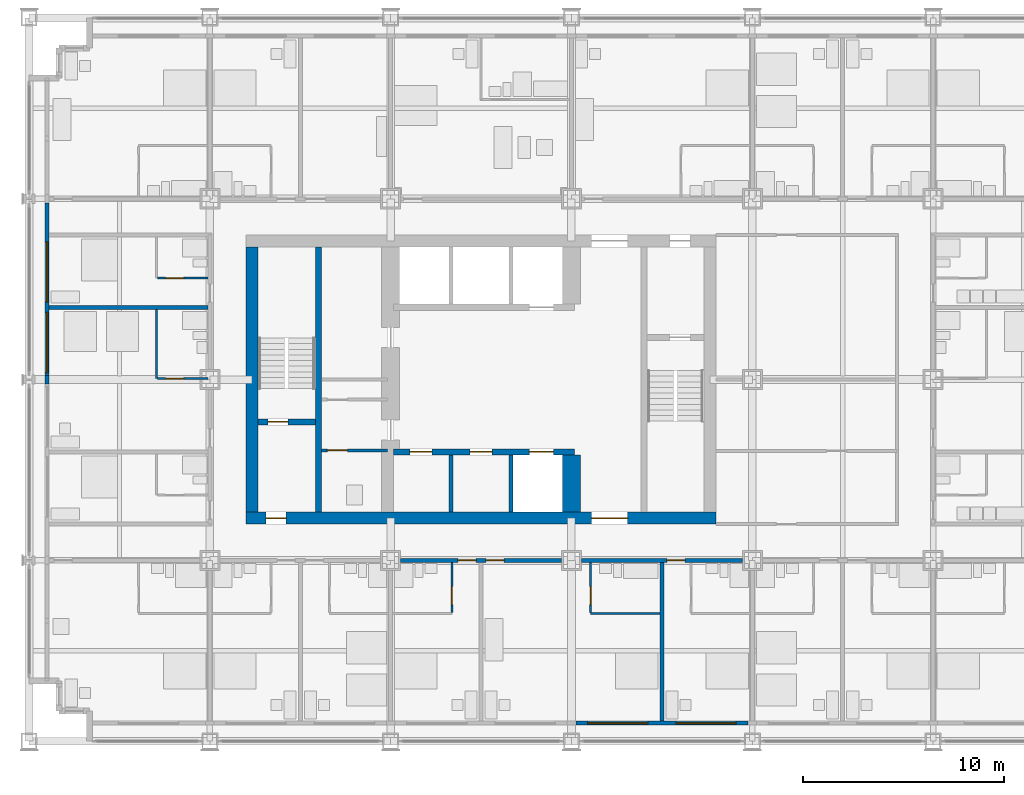
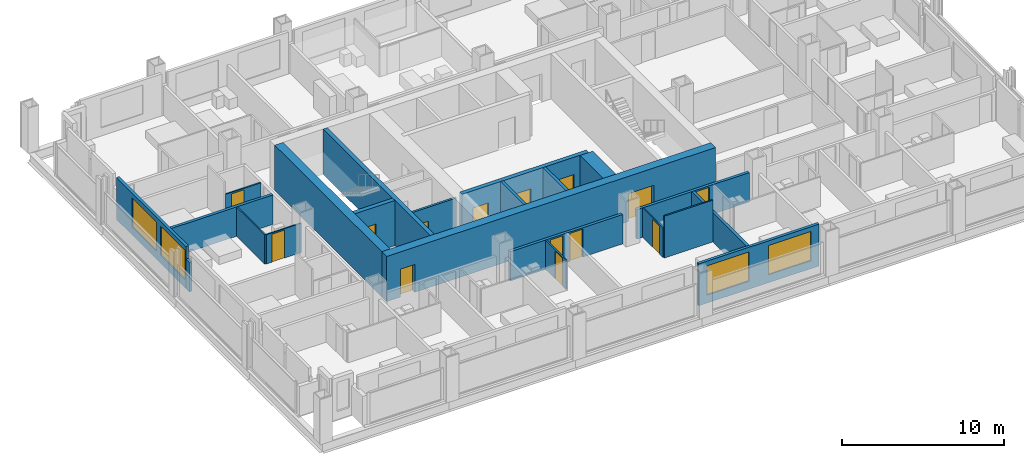
# One storey, part 11 of 19: 22 walls, 14 doors, 4 windows, 18 openings.
"""IFC4 building model written with IfcOpenShell, lengths in metres."""

from ifc_helpers import new_model, si_unit, direction, frame, frame_2d, origin, place, context, subcontext, project, spatial, rectangle, extrude, material, layer, layer_set, type_object, element, fill, save


model = new_model("IFC4")

# Units and contexts
model_context = context("Model", 3, precision=1e-05, world=origin(), true_north=direction((0.0, 1.0)))
body_context = subcontext(model_context, "Body", "Model", "MODEL_VIEW")
ifc_project = project(units=[si_unit("LENGTHUNIT", "METRE"), si_unit("AREAUNIT", "SQUARE_METRE"), si_unit("VOLUMEUNIT", "CUBIC_METRE"), si_unit("PLANEANGLEUNIT", "RADIAN"), si_unit("MASSUNIT", "GRAM", prefix="KILO")], contexts=[model_context])

# Site, building, storey
site_placement = place(None, origin())
site = spatial("IfcSite", under=ifc_project, at=site_placement, CompositionType="ELEMENT")
building_placement = place(site_placement, origin())
building = spatial("IfcBuilding", under=site, at=building_placement, Name="Loomwork Tower", CompositionType="ELEMENT")
storey_placement = place(building_placement, frame((0.0, 0.0, 85.800048828125)))
storey = spatial("IfcBuildingStorey", under=building, at=storey_placement, Name="L22", CompositionType="ELEMENT", Elevation=85.800048828125)

# Wall
ifc_material_1 = material(Name="Concrete 14000 psi (97 MPa)", Category="concrete")
ifc_layer_1 = layer(ifc_material_1, 0.300048828125)
ifc_layer_set_1 = layer_set([ifc_layer_1], Name="Core shear wall 300")
wall_type_1 = type_object("IfcWallType", Name="Core shear wall 300", PredefinedType="SHEAR", material=ifc_layer_set_1)
wall_1_placement = place(storey_placement, frame((14.39990234375, 11.39990234375, 0.0), z_axis=(0.0, 0.0, 1.0), x_axis=(0.0, 1.0, 0.0)))
element("IfcWall", 1, at=wall_1_placement, inside=storey, type_object=wall_type_1, Name="Stair A east wall L22", PredefinedType="SHEAR", context=body_context, shape_type="SweptSolid", body=[
    extrude(rectangle(XDim=13.2001953125, YDim=0.300048828125, at=frame_2d((6.60009765625, 0.0))), origin(), (0.0, 0.0, 1.0), 3.39990234375),
])

# Wall, opening, door
wall_2_placement = place(storey_placement, frame((11.39990234375, 15.89990234375, 0.0), z_axis=(0.0, 0.0, 1.0), x_axis=(1.0, 0.0, 0.0)))
wall_2 = element("IfcWall", 2, at=wall_2_placement, inside=storey, type_object=wall_type_1, Name="Stair A south wall L22", PredefinedType="SHEAR", context=body_context, shape_type="SweptSolid", body=[
    extrude(rectangle(XDim=2.85009765625, YDim=0.300048828125, at=frame_2d((1.425048828125, 0.0))), origin(), (0.0, 0.0, 1.0), 3.39990234375),
])
opening_1_placement = place(wall_2_placement, frame((0.5, 0.0, 0.0)))
opening_1 = element("IfcOpeningElement", 3, at=opening_1_placement, cuts=wall_2, Name="Opening D4", PredefinedType="OPENING", context=body_context, shape_type="SweptSolid", body=[
    extrude(rectangle(XDim=1.0, YDim=2.10009765625, at=frame_2d((0.5, 1.050048828125))), frame((0.0, 0.159912109375, 0.0), z_axis=(0.0, -1.0, 0.0), x_axis=(1.0, 0.0, 0.0)), (0.0, 0.0, 1.0), 0.320068359375),
])
ifc_material_2 = material(Name="Hollow metal door and frame")
door_type_1 = type_object("IfcDoorType", Name="Stair door 1000", OperationType="SINGLE_SWING_RIGHT", PredefinedType="DOOR", material=ifc_material_2)
door_1_placement = place(opening_1_placement, origin())
door_1 = element("IfcDoor", 4, at=door_1_placement, inside=storey, type_object=door_type_1, Name="Stair A door", OperationType="SINGLE_SWING_LEFT", OverallHeight=2.10009765625, OverallWidth=1.0, PredefinedType="DOOR", context=body_context, shape_type="SweptSolid", body=[
    extrude(rectangle(XDim=1.0, YDim=2.10009765625, at=frame_2d((0.5, 1.050048828125))), frame((0.0, 0.02490234375, 0.0), z_axis=(0.0, -1.0, 0.0), x_axis=(1.0, 0.0, 0.0)), (0.0, 0.0, 1.0), 0.050048828125),
])
fill(opening_1, door_1)

# Wall, openings, doors
wall_3_placement = place(storey_placement, frame((18.14990234375, 14.39990234375, 0.0), z_axis=(0.0, 0.0, 1.0), x_axis=(1.0, 0.0, 0.0)))
wall_3 = element("IfcWall", 5, at=wall_3_placement, inside=storey, type_object=wall_type_1, Name="Lift front wall south L22", PredefinedType="SHEAR", context=body_context, shape_type="SweptSolid", body=[
    extrude(rectangle(XDim=9.0, YDim=0.300048828125, at=frame_2d((4.5, 0.0))), origin(), (0.0, 0.0, 1.0), 3.39990234375),
])
opening_2_placement = place(wall_3_placement, frame((0.800048828125, 0.0, 0.0)))
opening_2 = element("IfcOpeningElement", 6, at=opening_2_placement, cuts=wall_3, Name="Opening LD1", PredefinedType="OPENING", context=body_context, shape_type="SweptSolid", body=[
    extrude(rectangle(XDim=1.10009765625, YDim=2.10009765625, at=frame_2d((0.550048828125, 1.050048828125))), frame((0.0, 0.159912109375, 0.0), z_axis=(0.0, -1.0, 0.0), x_axis=(1.0, 0.0, 0.0)), (0.0, 0.0, 1.0), 0.320068359375),
])
opening_3_placement = place(wall_3_placement, frame((3.800048828125, 0.0, 0.0)))
opening_3 = element("IfcOpeningElement", 7, at=opening_3_placement, cuts=wall_3, Name="Opening LD1", PredefinedType="OPENING", context=body_context, shape_type="SweptSolid", body=[
    extrude(rectangle(XDim=1.10009765625, YDim=2.10009765625, at=frame_2d((0.550048828125, 1.050048828125))), frame((0.0, 0.159912109375, 0.0), z_axis=(0.0, -1.0, 0.0), x_axis=(1.0, 0.0, 0.0)), (0.0, 0.0, 1.0), 0.320068359375),
])
opening_4_placement = place(wall_3_placement, frame((6.75, 0.0, 0.0)))
opening_4 = element("IfcOpeningElement", 8, at=opening_4_placement, cuts=wall_3, Name="Opening LD2", PredefinedType="OPENING", context=body_context, shape_type="SweptSolid", body=[
    extrude(rectangle(XDim=1.199951171875, YDim=2.10009765625, at=frame_2d((0.60009765625, 1.050048828125))), frame((0.0, 0.159912109375, 0.0), z_axis=(0.0, -1.0, 0.0), x_axis=(1.0, 0.0, 0.0)), (0.0, 0.0, 1.0), 0.320068359375),
])
ifc_material_3 = material(Name="Hollow metal door and frame")
door_type_2 = type_object("IfcDoorType", Name="Lift landing door 1100", OperationType="SLIDING_TO_LEFT", PredefinedType="DOOR", material=ifc_material_3)
door_2_placement = place(opening_2_placement, origin())
door_2 = element("IfcDoor", 9, at=door_2_placement, inside=storey, type_object=door_type_2, Name="Lift landing door LA1", OperationType="SLIDING_TO_LEFT", OverallHeight=2.10009765625, OverallWidth=1.10009765625, PredefinedType="DOOR", context=body_context, shape_type="SweptSolid", body=[
    extrude(rectangle(XDim=1.10009765625, YDim=2.10009765625, at=frame_2d((0.550048828125, 1.050048828125))), frame((0.0, 0.02490234375, 0.0), z_axis=(0.0, -1.0, 0.0), x_axis=(1.0, 0.0, 0.0)), (0.0, 0.0, 1.0), 0.050048828125),
])
fill(opening_2, door_2)
door_3_placement = place(opening_3_placement, origin())
door_3 = element("IfcDoor", 10, at=door_3_placement, inside=storey, type_object=door_type_2, Name="Lift landing door LA2", OperationType="SLIDING_TO_LEFT", OverallHeight=2.10009765625, OverallWidth=1.10009765625, PredefinedType="DOOR", context=body_context, shape_type="SweptSolid", body=[
    extrude(rectangle(XDim=1.10009765625, YDim=2.10009765625, at=frame_2d((0.550048828125, 1.050048828125))), frame((0.0, 0.02490234375, 0.0), z_axis=(0.0, -1.0, 0.0), x_axis=(1.0, 0.0, 0.0)), (0.0, 0.0, 1.0), 0.050048828125),
])
fill(opening_3, door_3)
ifc_material_4 = material(Name="Hollow metal door and frame")
door_type_3 = type_object("IfcDoorType", Name="Lift landing door 1200", OperationType="SLIDING_TO_LEFT", PredefinedType="DOOR", material=ifc_material_4)
door_4_placement = place(opening_4_placement, origin())
door_4 = element("IfcDoor", 11, at=door_4_placement, inside=storey, type_object=door_type_3, Name="Lift landing door LF1", OperationType="SLIDING_TO_LEFT", OverallHeight=2.10009765625, OverallWidth=1.199951171875, PredefinedType="DOOR", context=body_context, shape_type="SweptSolid", body=[
    extrude(rectangle(XDim=1.199951171875, YDim=2.10009765625, at=frame_2d((0.60009765625, 1.050048828125))), frame((0.0, 0.02490234375, 0.0), z_axis=(0.0, -1.0, 0.0), x_axis=(1.0, 0.0, 0.0)), (0.0, 0.0, 1.0), 0.050048828125),
])
fill(opening_4, door_4)

ifc_material_5 = material(Name="Concrete 14000 psi (97 MPa)", Category="concrete")
ifc_layer_2 = layer(ifc_material_5, 0.60009765625)
ifc_layer_set_2 = layer_set([ifc_layer_2], Name="Core shear wall 600")
wall_type_2 = type_object("IfcWallType", Name="Core shear wall 600", PredefinedType="SHEAR", material=ifc_layer_set_2)
wall_4_placement = place(storey_placement, frame((10.800048828125, 11.10009765625, 0.0), z_axis=(0.0, 0.0, 1.0), x_axis=(1.0, 0.0, 0.0)))
wall_4 = element("IfcWall", 12, at=wall_4_placement, inside=storey, type_object=wall_type_2, Name="Core wall south L22", PredefinedType="SHEAR", context=body_context, shape_type="SweptSolid", body=[
    extrude(rectangle(XDim=23.39990234375, YDim=0.60009765625, at=frame_2d((11.699951171875, 0.0))), origin(), (0.0, 0.0, 1.0), 3.39990234375),
])
opening_5_placement = place(wall_4_placement, frame((1.0, 0.0, 0.0)))
opening_5 = element("IfcOpeningElement", 13, at=opening_5_placement, cuts=wall_4, Name="Opening D4", PredefinedType="OPENING", context=body_context, shape_type="SweptSolid", body=[
    extrude(rectangle(XDim=1.0, YDim=2.10009765625, at=frame_2d((0.5, 1.050048828125))), frame((0.0, 0.31005859375, 0.0), z_axis=(0.0, -1.0, 0.0), x_axis=(1.0, 0.0, 0.0)), (0.0, 0.0, 1.0), 0.6201171875),
])
opening_6_placement = place(wall_4_placement, frame((17.199951171875, 0.0, 0.0)))
opening_6 = element("IfcOpeningElement", 14, at=opening_6_placement, cuts=wall_4, Name="Opening D6", PredefinedType="OPENING", context=body_context, shape_type="SweptSolid", body=[
    extrude(rectangle(XDim=1.800048828125, YDim=2.10009765625, at=frame_2d((0.89990234375, 1.050048828125))), frame((0.0, 0.31005859375, 0.0), z_axis=(0.0, -1.0, 0.0), x_axis=(1.0, 0.0, 0.0)), (0.0, 0.0, 1.0), 0.6201171875),
])
ifc_material_6 = material(Name="Hollow metal door and frame")
door_type_4 = type_object("IfcDoorType", Name="Lobby passage double door 1800", OperationType="DOUBLE_DOOR_SINGLE_SWING", PredefinedType="DOOR", material=ifc_material_6)
door_5_placement = place(opening_6_placement, origin())
door_5 = element("IfcDoor", 15, at=door_5_placement, inside=storey, type_object=door_type_4, Name="Lobby passage door south", OperationType="DOUBLE_DOOR_SINGLE_SWING", OverallHeight=2.10009765625, OverallWidth=1.800048828125, PredefinedType="DOOR", context=body_context, shape_type="SweptSolid", body=[
    extrude(rectangle(XDim=1.800048828125, YDim=2.10009765625, at=frame_2d((0.89990234375, 1.050048828125))), frame((0.0, 0.02490234375, 0.0), z_axis=(0.0, -1.0, 0.0), x_axis=(1.0, 0.0, 0.0)), (0.0, 0.0, 1.0), 0.050048828125),
])
fill(opening_6, door_5)
door_6_placement = place(opening_5_placement, origin())
door_6 = element("IfcDoor", 16, at=door_6_placement, inside=storey, type_object=door_type_1, Name="Stair A vestibule door", OperationType="SINGLE_SWING_LEFT", OverallHeight=2.10009765625, OverallWidth=1.0, PredefinedType="DOOR", context=body_context, shape_type="SweptSolid", body=[
    extrude(rectangle(XDim=1.0, YDim=2.10009765625, at=frame_2d((0.5, 1.050048828125))), frame((0.0, 0.02490234375, 0.0), z_axis=(0.0, -1.0, 0.0), x_axis=(1.0, 0.0, 0.0)), (0.0, 0.0, 1.0), 0.050048828125),
])
fill(opening_5, door_6)

# Walls
wall_5_placement = place(storey_placement, frame((11.10009765625, 11.39990234375, 0.0), z_axis=(0.0, 0.0, 1.0), x_axis=(0.0, 1.0, 0.0)))
element("IfcWall", 17, at=wall_5_placement, inside=storey, type_object=wall_type_2, Name="Core wall west L22", PredefinedType="SHEAR", context=body_context, shape_type="SweptSolid", body=[
    extrude(rectangle(XDim=13.2001953125, YDim=0.60009765625, at=frame_2d((6.60009765625, 0.0))), origin(), (0.0, 0.0, 1.0), 3.39990234375),
])
ifc_material_7 = material(Name="Concrete 14000 psi (97 MPa)", Category="concrete")
ifc_layer_3 = layer(ifc_material_7, 0.89990234375)
ifc_layer_set_3 = layer_set([ifc_layer_3], Name="Core shear wall 900")
wall_type_3 = type_object("IfcWallType", Name="Core shear wall 900", PredefinedType="SHEAR", material=ifc_layer_set_3)
wall_6_placement = place(storey_placement, frame((27.0, 11.39990234375, 0.0), z_axis=(0.0, 0.0, 1.0), x_axis=(0.0, 1.0, 0.0)))
element("IfcWall", 18, at=wall_6_placement, inside=storey, type_object=wall_type_3, Name="Lift shaft end wall south L22", PredefinedType="SHEAR", context=body_context, shape_type="SweptSolid", body=[
    extrude(rectangle(XDim=2.85009765625, YDim=0.89990234375, at=frame_2d((1.425048828125, 0.0))), origin(), (0.0, 0.0, 1.0), 3.39990234375),
])

# Wall, openings, doors
ifc_material_8 = material(Name="Gypsum board on steel studs, one-hour", Category="steel")
ifc_layer_4 = layer(ifc_material_8, 0.199951171875)
ifc_layer_set_4 = layer_set([ifc_layer_4], Name="Corridor wall 200")
wall_type_4 = type_object("IfcWallType", Name="Corridor wall 200", PredefinedType="PARTITIONING", material=ifc_layer_set_4)
wall_7_placement = place(storey_placement, frame((18.5, 9.0, 0.0), z_axis=(0.0, 0.0, 1.0), x_axis=(1.0, 0.0, 0.0)))
wall_7 = element("IfcWall", 19, at=wall_7_placement, inside=storey, type_object=wall_type_4, Name="South corridor wall 3", PredefinedType="PARTITIONING", context=body_context, shape_type="SweptSolid", body=[
    extrude(rectangle(XDim=8.0, YDim=0.199951171875, at=frame_2d((4.0, 0.0))), origin(), (0.0, 0.0, 1.0), 2.210205078125),
])
opening_7_placement = place(wall_7_placement, frame((2.85009765625, 0.0, 0.0)))
opening_7 = element("IfcOpeningElement", 20, at=opening_7_placement, cuts=wall_7, Name="Opening D1", PredefinedType="OPENING", context=body_context, shape_type="SweptSolid", body=[
    extrude(rectangle(XDim=0.89990234375, YDim=2.10009765625, at=frame_2d((0.449951171875, 1.050048828125))), frame((0.0, 0.10986328125, 0.0), z_axis=(0.0, -1.0, 0.0), x_axis=(1.0, 0.0, 0.0)), (0.0, 0.0, 1.0), 0.219970703125),
])
opening_8_placement = place(wall_7_placement, frame((4.25, 0.0, 0.0)))
opening_8 = element("IfcOpeningElement", 21, at=opening_8_placement, cuts=wall_7, Name="Opening D1", PredefinedType="OPENING", context=body_context, shape_type="SweptSolid", body=[
    extrude(rectangle(XDim=0.89990234375, YDim=2.10009765625, at=frame_2d((0.449951171875, 1.050048828125))), frame((0.0, 0.10986328125, 0.0), z_axis=(0.0, -1.0, 0.0), x_axis=(1.0, 0.0, 0.0)), (0.0, 0.0, 1.0), 0.219970703125),
])
ifc_material_9 = material(Name="Hollow metal door and frame")
door_type_5 = type_object("IfcDoorType", Name="Guest room entry door 900", OperationType="SINGLE_SWING_LEFT", PredefinedType="DOOR", material=ifc_material_9)
door_7_placement = place(opening_7_placement, frame((0.89990234375, 0.0, 0.0), z_axis=(0.0, 0.0, 1.0), x_axis=(-1.0, 0.0, 0.0)))
door_7 = element("IfcDoor", 22, at=door_7_placement, inside=storey, type_object=door_type_5, Name="Guest room entry door L22 4", OperationType="SINGLE_SWING_LEFT", OverallHeight=2.10009765625, OverallWidth=0.89990234375, PredefinedType="DOOR", context=body_context, shape_type="SweptSolid", body=[
    extrude(rectangle(XDim=0.89990234375, YDim=2.10009765625, at=frame_2d((0.449951171875, 1.050048828125))), frame((0.0, 0.02490234375, 0.0), z_axis=(0.0, -1.0, 0.0), x_axis=(1.0, 0.0, 0.0)), (0.0, 0.0, 1.0), 0.050048828125),
])
fill(opening_7, door_7)
door_8_placement = place(opening_8_placement, frame((0.89990234375, 0.0, 0.0), z_axis=(0.0, 0.0, 1.0), x_axis=(-1.0, 0.0, 0.0)))
door_8 = element("IfcDoor", 23, at=door_8_placement, inside=storey, type_object=door_type_5, Name="Guest room entry door L22 5", OperationType="SINGLE_SWING_RIGHT", OverallHeight=2.10009765625, OverallWidth=0.89990234375, PredefinedType="DOOR", context=body_context, shape_type="SweptSolid", body=[
    extrude(rectangle(XDim=0.89990234375, YDim=2.10009765625, at=frame_2d((0.449951171875, 1.050048828125))), frame((0.0, 0.02490234375, 0.0), z_axis=(0.0, -1.0, 0.0), x_axis=(1.0, 0.0, 0.0)), (0.0, 0.0, 1.0), 0.050048828125),
])
fill(opening_8, door_8)

# Wall, opening, door
wall_8_placement = place(storey_placement, frame((27.5, 9.0, 0.0), z_axis=(0.0, 0.0, 1.0), x_axis=(1.0, 0.0, 0.0)))
wall_8 = element("IfcWall", 24, at=wall_8_placement, inside=storey, type_object=wall_type_4, Name="South corridor wall 4", PredefinedType="PARTITIONING", context=body_context, shape_type="SweptSolid", body=[
    extrude(rectangle(XDim=8.0, YDim=0.199951171875, at=frame_2d((4.0, 0.0))), origin(), (0.0, 0.0, 1.0), 2.210205078125),
])
opening_9_placement = place(wall_8_placement, frame((4.25, 0.0, 0.0)))
opening_9 = element("IfcOpeningElement", 25, at=opening_9_placement, cuts=wall_8, Name="Opening D1", PredefinedType="OPENING", context=body_context, shape_type="SweptSolid", body=[
    extrude(rectangle(XDim=0.89990234375, YDim=2.10009765625, at=frame_2d((0.449951171875, 1.050048828125))), frame((0.0, 0.10986328125, 0.0), z_axis=(0.0, -1.0, 0.0), x_axis=(1.0, 0.0, 0.0)), (0.0, 0.0, 1.0), 0.219970703125),
])
door_9_placement = place(opening_9_placement, frame((0.89990234375, 0.0, 0.0), z_axis=(0.0, 0.0, 1.0), x_axis=(-1.0, 0.0, 0.0)))
door_9 = element("IfcDoor", 26, at=door_9_placement, inside=storey, type_object=door_type_5, Name="Guest room entry door L22 6", OperationType="SINGLE_SWING_RIGHT", OverallHeight=2.10009765625, OverallWidth=0.89990234375, PredefinedType="DOOR", context=body_context, shape_type="SweptSolid", body=[
    extrude(rectangle(XDim=0.89990234375, YDim=2.10009765625, at=frame_2d((0.449951171875, 1.050048828125))), frame((0.0, 0.02490234375, 0.0), z_axis=(0.0, -1.0, 0.0), x_axis=(1.0, 0.0, 0.0)), (0.0, 0.0, 1.0), 0.050048828125),
])
fill(opening_9, door_9)

ifc_material_10 = material(Name="Cement board on steel studs", Category="steel")
ifc_layer_5 = layer(ifc_material_10, 0.10009765625)
ifc_layer_set_5 = layer_set([ifc_layer_5], Name="En-suite partition 100")
wall_type_5 = type_object("IfcWallType", Name="En-suite partition 100", PredefinedType="PARTITIONING", material=ifc_layer_set_5)
wall_9_placement = place(storey_placement, frame((21.050048828125, 8.89990234375, 0.0), z_axis=(0.0, 0.0, 1.0), x_axis=(0.0, -1.0, 0.0)))
wall_9 = element("IfcWall", 27, at=wall_9_placement, inside=storey, type_object=wall_type_5, Name="En-suite side wall L22 room 4", PredefinedType="PARTITIONING", context=body_context, shape_type="SweptSolid", body=[
    extrude(rectangle(XDim=2.5, YDim=0.10009765625, at=frame_2d((1.25, 0.0))), origin(), (0.0, 0.0, 1.0), 2.2099609375),
])
opening_10_placement = place(wall_9_placement, frame((1.199951171875, 0.0, 0.0)))
opening_10 = element("IfcOpeningElement", 28, at=opening_10_placement, cuts=wall_9, Name="Opening D2", PredefinedType="OPENING", context=body_context, shape_type="SweptSolid", body=[
    extrude(rectangle(XDim=0.89990234375, YDim=2.10009765625, at=frame_2d((0.449951171875, 1.050048828125))), frame((0.0, 0.06005859375, 0.0), z_axis=(0.0, -1.0, 0.0), x_axis=(1.0, 0.0, 0.0)), (0.0, 0.0, 1.0), 0.1201171875),
])
ifc_material_11 = material(Name="Hollow metal door and frame")
door_type_6 = type_object("IfcDoorType", Name="En-suite door 900", OperationType="SINGLE_SWING_LEFT", PredefinedType="DOOR", material=ifc_material_11)
door_10_placement = place(opening_10_placement, frame((0.89990234375, 0.0, 0.0), z_axis=(0.0, 0.0, 1.0), x_axis=(-1.0, 0.0, 0.0)))
door_10 = element("IfcDoor", 29, at=door_10_placement, inside=storey, type_object=door_type_6, Name="En-suite door room 4", OperationType="SINGLE_SWING_LEFT", OverallHeight=2.10009765625, OverallWidth=0.89990234375, PredefinedType="DOOR", context=body_context, shape_type="SweptSolid", body=[
    extrude(rectangle(XDim=0.89990234375, YDim=2.10009765625, at=frame_2d((0.449951171875, 1.050048828125))), frame((0.0, 0.02490234375, 0.0), z_axis=(0.0, -1.0, 0.0), x_axis=(1.0, 0.0, 0.0)), (0.0, 0.0, 1.0), 0.050048828125),
])
fill(opening_10, door_10)

# Wall
wall_10_placement = place(storey_placement, frame((27.949951171875, 6.35009765625, 0.0), z_axis=(0.0, 0.0, 1.0), x_axis=(1.0, 0.0, 0.0)))
element("IfcWall", 30, at=wall_10_placement, inside=storey, type_object=wall_type_5, Name="En-suite wall L22 room 5", PredefinedType="PARTITIONING", context=body_context, shape_type="SweptSolid", body=[
    extrude(rectangle(XDim=3.449951171875, YDim=0.10009765625, at=frame_2d((1.72509765625, 0.0))), origin(), (0.0, 0.0, 1.0), 3.14990234375),
])

# Wall, opening, door
wall_11_placement = place(storey_placement, frame((27.949951171875, 8.89990234375, 0.0), z_axis=(0.0, 0.0, 1.0), x_axis=(0.0, -1.0, 0.0)))
wall_11 = element("IfcWall", 31, at=wall_11_placement, inside=storey, type_object=wall_type_5, Name="En-suite side wall L22 room 5", PredefinedType="PARTITIONING", context=body_context, shape_type="SweptSolid", body=[
    extrude(rectangle(XDim=2.5, YDim=0.10009765625, at=frame_2d((1.25, 0.0))), origin(), (0.0, 0.0, 1.0), 2.2099609375),
])
opening_11_placement = place(wall_11_placement, frame((1.199951171875, 0.0, 0.0)))
opening_11 = element("IfcOpeningElement", 32, at=opening_11_placement, cuts=wall_11, Name="Opening D2", PredefinedType="OPENING", context=body_context, shape_type="SweptSolid", body=[
    extrude(rectangle(XDim=0.89990234375, YDim=2.10009765625, at=frame_2d((0.449951171875, 1.050048828125))), frame((0.0, 0.06005859375, 0.0), z_axis=(0.0, -1.0, 0.0), x_axis=(1.0, 0.0, 0.0)), (0.0, 0.0, 1.0), 0.1201171875),
])
door_11_placement = place(opening_11_placement, origin())
door_11 = element("IfcDoor", 33, at=door_11_placement, inside=storey, type_object=door_type_6, Name="En-suite door room 5", OperationType="SINGLE_SWING_RIGHT", OverallHeight=2.10009765625, OverallWidth=0.89990234375, PredefinedType="DOOR", context=body_context, shape_type="SweptSolid", body=[
    extrude(rectangle(XDim=0.89990234375, YDim=2.10009765625, at=frame_2d((0.449951171875, 1.050048828125))), frame((0.0, 0.02490234375, 0.0), z_axis=(0.0, -1.0, 0.0), x_axis=(1.0, 0.0, 0.0)), (0.0, 0.0, 1.0), 0.050048828125),
])
fill(opening_11, door_11)

# Wall
wall_12_placement = place(storey_placement, frame((6.35009765625, 18.050048828125, 0.0), z_axis=(0.0, 0.0, 1.0), x_axis=(0.0, 1.0, 0.0)))
element("IfcWall", 34, at=wall_12_placement, inside=storey, type_object=wall_type_5, Name="En-suite wall L22 room 19", PredefinedType="PARTITIONING", context=body_context, shape_type="SweptSolid", body=[
    extrude(rectangle(XDim=3.449951171875, YDim=0.10009765625, at=frame_2d((1.72509765625, 0.0))), origin(), (0.0, 0.0, 1.0), 2.201904296875),
])

# Wall, opening, door
wall_13_placement = place(storey_placement, frame((8.89990234375, 18.050048828125, 0.0), z_axis=(0.0, 0.0, 1.0), x_axis=(-1.0, 0.0, 0.0)))
wall_13 = element("IfcWall", 35, at=wall_13_placement, inside=storey, type_object=wall_type_5, Name="En-suite side wall L22 room 19", PredefinedType="PARTITIONING", context=body_context, shape_type="SweptSolid", body=[
    extrude(rectangle(XDim=2.5, YDim=0.10009765625, at=frame_2d((1.25, 0.0))), origin(), (0.0, 0.0, 1.0), 2.20263671875),
])
opening_12_placement = place(wall_13_placement, frame((1.199951171875, 0.0, 0.0)))
opening_12 = element("IfcOpeningElement", 36, at=opening_12_placement, cuts=wall_13, Name="Opening D2", PredefinedType="OPENING", context=body_context, shape_type="SweptSolid", body=[
    extrude(rectangle(XDim=0.89990234375, YDim=2.10009765625, at=frame_2d((0.449951171875, 1.050048828125))), frame((0.0, 0.06005859375, 0.0), z_axis=(0.0, -1.0, 0.0), x_axis=(1.0, 0.0, 0.0)), (0.0, 0.0, 1.0), 0.1201171875),
])
door_12_placement = place(opening_12_placement, frame((0.89990234375, 0.0, 0.0), z_axis=(0.0, 0.0, 1.0), x_axis=(-1.0, 0.0, 0.0)))
door_12 = element("IfcDoor", 37, at=door_12_placement, inside=storey, type_object=door_type_6, Name="En-suite door room 19", OperationType="SINGLE_SWING_LEFT", OverallHeight=2.10009765625, OverallWidth=0.89990234375, PredefinedType="DOOR", context=body_context, shape_type="SweptSolid", body=[
    extrude(rectangle(XDim=0.89990234375, YDim=2.10009765625, at=frame_2d((0.449951171875, 1.050048828125))), frame((0.0, 0.02490234375, 0.0), z_axis=(0.0, -1.0, 0.0), x_axis=(1.0, 0.0, 0.0)), (0.0, 0.0, 1.0), 0.050048828125),
])
fill(opening_12, door_12)

wall_14_placement = place(storey_placement, frame((8.89990234375, 23.050048828125, 0.0), z_axis=(0.0, 0.0, 1.0), x_axis=(-1.0, 0.0, 0.0)))
wall_14 = element("IfcWall", 38, at=wall_14_placement, inside=storey, type_object=wall_type_5, Name="En-suite side wall L22 room 20", PredefinedType="PARTITIONING", context=body_context, shape_type="SweptSolid", body=[
    extrude(rectangle(XDim=2.5, YDim=0.10009765625, at=frame_2d((1.25, 0.0))), origin(), (0.0, 0.0, 1.0), 2.2099609375),
])
opening_13_placement = place(wall_14_placement, frame((1.199951171875, 0.0, 0.0)))
opening_13 = element("IfcOpeningElement", 39, at=opening_13_placement, cuts=wall_14, Name="Opening D2", PredefinedType="OPENING", context=body_context, shape_type="SweptSolid", body=[
    extrude(rectangle(XDim=0.89990234375, YDim=2.10009765625, at=frame_2d((0.449951171875, 1.050048828125))), frame((0.0, 0.06005859375, 0.0), z_axis=(0.0, -1.0, 0.0), x_axis=(1.0, 0.0, 0.0)), (0.0, 0.0, 1.0), 0.1201171875),
])
door_13_placement = place(opening_13_placement, frame((0.89990234375, 0.0, 0.0), z_axis=(0.0, 0.0, 1.0), x_axis=(-1.0, 0.0, 0.0)))
door_13 = element("IfcDoor", 40, at=door_13_placement, inside=storey, type_object=door_type_6, Name="En-suite door room 20", OperationType="SINGLE_SWING_LEFT", OverallHeight=2.10009765625, OverallWidth=0.89990234375, PredefinedType="DOOR", context=body_context, shape_type="SweptSolid", body=[
    extrude(rectangle(XDim=0.89990234375, YDim=2.10009765625, at=frame_2d((0.449951171875, 1.050048828125))), frame((0.0, 0.02490234375, 0.0), z_axis=(0.0, -1.0, 0.0), x_axis=(1.0, 0.0, 0.0)), (0.0, 0.0, 1.0), 0.050048828125),
])
fill(opening_13, door_13)

# Walls
ifc_material_12 = material(Name="Gypsum board on steel studs, acoustic", Category="steel")
ifc_layer_6 = layer(ifc_material_12, 0.199951171875)
ifc_layer_set_6 = layer_set([ifc_layer_6], Name="Guest room party wall 200")
wall_type_6 = type_object("IfcWallType", Name="Guest room party wall 200", PredefinedType="PARTITIONING", material=ifc_layer_set_6)
for number, where, z_axis, x_axis, name in (
    (41, (31.5, 8.89990234375, 0.0), (0.0, 0.0, 1.0), (0.0, -1.0, 0.0), "Guest room party wall S 31.5"),
    (42, (8.89990234375, 21.60009765625, 0.0), (0.0, 0.0, 1.0), (-1.0, 0.0, 0.0), "Guest room party wall W 21.6"),
):
    element("IfcWall", number, at=place(storey_placement, frame(where, z_axis=z_axis, x_axis=x_axis)), inside=storey, type_object=wall_type_6, Name=name, PredefinedType="PARTITIONING", context=body_context, shape_type="SweptSolid", body=[
        extrude(rectangle(XDim=7.89990234375, YDim=0.199951171875, at=frame_2d((3.949951171875, 0.0))), origin(), (0.0, 0.0, 1.0), 2.2099609375),
    ])

# Wall, openings, windows
ifc_material_13 = material(Name="Insulated steel stud wall with gypsum lining", Category="steel")
ifc_layer_7 = layer(ifc_material_13, 0.199951171875)
ifc_layer_set_7 = layer_set([ifc_layer_7], Name="Inner skin wall 200")
wall_type_7 = type_object("IfcWallType", Name="Inner skin wall 200", PredefinedType="SOLIDWALL", material=ifc_layer_set_7)
wall_15_placement = place(storey_placement, frame((27.214111328125, 0.89990234375, 0.0), z_axis=(0.0, 0.0, 1.0), x_axis=(1.0, 0.0, 0.0)))
wall_15 = element("IfcWall", 43, at=wall_15_placement, inside=storey, type_object=wall_type_7, Name="Inner skin wall S bay 7", PredefinedType="SOLIDWALL", context=body_context, shape_type="SweptSolid", body=[
    extrude(rectangle(XDim=8.570556640625, YDim=0.199951171875, at=frame_2d((4.28515625, 0.0))), origin(), (0.0, 0.0, 1.0), 3.14990234375),
])
opening_14_placement = place(wall_15_placement, frame((0.5859375, 0.0, 0.60009765625)))
opening_14 = element("IfcOpeningElement", 44, at=opening_14_placement, cuts=wall_15, Name="Opening CH1", PredefinedType="OPENING", context=body_context, shape_type="SweptSolid", body=[
    extrude(rectangle(XDim=3.0, YDim=2.199951171875, at=frame_2d((1.5, 1.10009765625))), frame((0.0, 0.10986328125, 0.0), z_axis=(0.0, -1.0, 0.0), x_axis=(1.0, 0.0, 0.0)), (0.0, 0.0, 1.0), 0.219970703125),
])
opening_15_placement = place(wall_15_placement, frame((4.98583984375, 0.0, 0.60009765625)))
opening_15 = element("IfcOpeningElement", 45, at=opening_15_placement, cuts=wall_15, Name="Opening CH1", PredefinedType="OPENING", context=body_context, shape_type="SweptSolid", body=[
    extrude(rectangle(XDim=3.0, YDim=2.199951171875, at=frame_2d((1.5, 1.10009765625))), frame((0.0, 0.10986328125, 0.0), z_axis=(0.0, -1.0, 0.0), x_axis=(1.0, 0.0, 0.0)), (0.0, 0.0, 1.0), 0.219970703125),
])
ifc_material_14 = material(Name="Aluminium frame with clear insulated glass", Category="aluminium")
window_type = type_object("IfcWindowType", Name="Chicago window 3000", PartitioningType="TRIPLE_PANEL_VERTICAL", PredefinedType="WINDOW", material=ifc_material_14)
window_1_placement = place(opening_14_placement, origin())
window_1 = element("IfcWindow", 46, at=window_1_placement, inside=storey, type_object=window_type, Name="Chicago window L22 bay 4", OverallHeight=2.199951171875, OverallWidth=3.0, PartitioningType="TRIPLE_PANEL_VERTICAL", PredefinedType="WINDOW", context=body_context, shape_type="SweptSolid", body=[
    extrude(rectangle(XDim=3.0, YDim=2.199951171875, at=frame_2d((1.5, 1.10009765625))), frame((0.0, 0.030029296875, 0.0), z_axis=(0.0, -1.0, 0.0), x_axis=(1.0, 0.0, 0.0)), (0.0, 0.0, 1.0), 0.06005859375),
])
fill(opening_14, window_1)
window_2_placement = place(opening_15_placement, origin())
window_2 = element("IfcWindow", 47, at=window_2_placement, inside=storey, type_object=window_type, Name="Chicago window L22 bay 4", OverallHeight=2.199951171875, OverallWidth=3.0, PartitioningType="TRIPLE_PANEL_VERTICAL", PredefinedType="WINDOW", context=body_context, shape_type="SweptSolid", body=[
    extrude(rectangle(XDim=3.0, YDim=2.199951171875, at=frame_2d((1.5, 1.10009765625))), frame((0.0, 0.030029296875, 0.0), z_axis=(0.0, -1.0, 0.0), x_axis=(1.0, 0.0, 0.0)), (0.0, 0.0, 1.0), 0.06005859375),
])
fill(opening_15, window_2)

# Wall
wall_16_placement = place(storey_placement, frame((0.89990234375, 17.785888671875, 0.0), z_axis=(0.0, 0.0, 1.0), x_axis=(0.0, 1.0, 0.0)))
element("IfcWall", 48, at=wall_16_placement, inside=storey, type_object=wall_type_7, Name="Inner skin wall W bay 7", PredefinedType="SOLIDWALL", context=body_context, shape_type="SweptSolid", body=[
    extrude(rectangle(XDim=0.42822265625, YDim=0.199951171875, at=frame_2d((0.214111328125, 0.0))), origin(), (0.0, 0.0, 1.0), 2.201904296875),
])

# Wall, openings, windows
wall_17_placement = place(storey_placement, frame((0.89990234375, 18.214111328125, 0.0), z_axis=(0.0, 0.0, 1.0), x_axis=(0.0, 1.0, 0.0)))
wall_17 = element("IfcWall", 49, at=wall_17_placement, inside=storey, type_object=wall_type_7, Name="Inner skin wall W bay 8", PredefinedType="SOLIDWALL", context=body_context, shape_type="SweptSolid", body=[
    extrude(rectangle(XDim=8.570556640625, YDim=0.199951171875, at=frame_2d((4.28515625, 0.0))), origin(), (0.0, 0.0, 1.0), 3.14990234375),
])
opening_16_placement = place(wall_17_placement, frame((0.135986328125, 0.0, 0.60009765625)))
opening_16 = element("IfcOpeningElement", 50, at=opening_16_placement, cuts=wall_17, Name="Opening CH1", PredefinedType="OPENING", context=body_context, shape_type="SweptSolid", body=[
    extrude(rectangle(XDim=3.0, YDim=2.199951171875, at=frame_2d((1.5, 1.10009765625))), frame((0.0, 0.10986328125, 0.0), z_axis=(0.0, -1.0, 0.0), x_axis=(1.0, 0.0, 0.0)), (0.0, 0.0, 1.0), 0.219970703125),
])
opening_17_placement = place(wall_17_placement, frame((3.635986328125, 0.0, 0.60009765625)))
opening_17 = element("IfcOpeningElement", 51, at=opening_17_placement, cuts=wall_17, Name="Opening CH1", PredefinedType="OPENING", context=body_context, shape_type="SweptSolid", body=[
    extrude(rectangle(XDim=3.0, YDim=2.199951171875, at=frame_2d((1.5, 1.10009765625))), frame((0.0, 0.10986328125, 0.0), z_axis=(0.0, -1.0, 0.0), x_axis=(1.0, 0.0, 0.0)), (0.0, 0.0, 1.0), 0.219970703125),
])
window_3_placement = place(opening_16_placement, origin())
window_3 = element("IfcWindow", 52, at=window_3_placement, inside=storey, type_object=window_type, Name="Chicago window L22 bay 14", OverallHeight=2.199951171875, OverallWidth=3.0, PartitioningType="TRIPLE_PANEL_VERTICAL", PredefinedType="WINDOW", context=body_context, shape_type="SweptSolid", body=[
    extrude(rectangle(XDim=3.0, YDim=2.199951171875, at=frame_2d((1.5, 1.10009765625))), frame((0.0, 0.030029296875, 0.0), z_axis=(0.0, -1.0, 0.0), x_axis=(1.0, 0.0, 0.0)), (0.0, 0.0, 1.0), 0.06005859375),
])
fill(opening_16, window_3)
window_4_placement = place(opening_17_placement, origin())
window_4 = element("IfcWindow", 53, at=window_4_placement, inside=storey, type_object=window_type, Name="Chicago window L22 bay 14", OverallHeight=2.199951171875, OverallWidth=3.0, PartitioningType="TRIPLE_PANEL_VERTICAL", PredefinedType="WINDOW", context=body_context, shape_type="SweptSolid", body=[
    extrude(rectangle(XDim=3.0, YDim=2.199951171875, at=frame_2d((1.5, 1.10009765625))), frame((0.0, 0.030029296875, 0.0), z_axis=(0.0, -1.0, 0.0), x_axis=(1.0, 0.0, 0.0)), (0.0, 0.0, 1.0), 0.06005859375),
])
fill(opening_17, window_4)

# Walls
ifc_material_15 = material(Name="Concrete 14000 psi (97 MPa)", Category="concrete")
ifc_layer_8 = layer(ifc_material_15, 0.199951171875)
ifc_layer_set_8 = layer_set([ifc_layer_8], Name="Lift shaft wall 200")
wall_type_8 = type_object("IfcWallType", Name="Lift shaft wall 200", PredefinedType="SHEAR", material=ifc_layer_set_8)
for number, where, z_axis, x_axis, name in (
    (54, (21.0, 11.39990234375, 0.0), (0.0, 0.0, 1.0), (0.0, 1.0, 0.0), "Lift shaft separation wall south 1 L22"),
    (55, (24.0, 11.39990234375, 0.0), (0.0, 0.0, 1.0), (0.0, 1.0, 0.0), "Lift shaft separation wall south 2 L22"),
):
    element("IfcWall", number, at=place(storey_placement, frame(where, z_axis=z_axis, x_axis=x_axis)), inside=storey, type_object=wall_type_8, Name=name, PredefinedType="SHEAR", context=body_context, shape_type="SweptSolid", body=[
        extrude(rectangle(XDim=2.85009765625, YDim=0.199951171875, at=frame_2d((1.425048828125, 0.0))), origin(), (0.0, 0.0, 1.0), 3.39990234375),
    ])

# Wall, opening, door
ifc_material_16 = material(Name="Gypsum board on steel studs, one-hour", Category="steel")
ifc_layer_9 = layer(ifc_material_16, 0.14990234375)
ifc_layer_set_9 = layer_set([ifc_layer_9], Name="Service partition 150")
wall_type_9 = type_object("IfcWallType", Name="Service partition 150", PredefinedType="PARTITIONING", material=ifc_layer_set_9)
wall_18_placement = place(storey_placement, frame((14.550048828125, 14.47509765625, 0.0), z_axis=(0.0, 0.0, 1.0), x_axis=(1.0, 0.0, 0.0)))
wall_18 = element("IfcWall", 56, at=wall_18_placement, inside=storey, type_object=wall_type_9, Name="Back-of-house partition L22", PredefinedType="PARTITIONING", context=body_context, shape_type="SweptSolid", body=[
    extrude(rectangle(XDim=3.300048828125, YDim=0.14990234375, at=frame_2d((1.64990234375, 0.0))), origin(), (0.0, 0.0, 1.0), 3.14990234375),
])
opening_18_placement = place(wall_18_placement, frame((0.300048828125, 0.0, 0.0)))
opening_18 = element("IfcOpeningElement", 57, at=opening_18_placement, cuts=wall_18, Name="Opening D5", PredefinedType="OPENING", context=body_context, shape_type="SweptSolid", body=[
    extrude(rectangle(XDim=1.0, YDim=2.10009765625, at=frame_2d((0.5, 1.050048828125))), frame((0.0, 0.0849609375, 0.0), z_axis=(0.0, -1.0, 0.0), x_axis=(1.0, 0.0, 0.0)), (0.0, 0.0, 1.0), 0.169921875),
])
ifc_material_17 = material(Name="Hollow metal door and frame")
door_type_7 = type_object("IfcDoorType", Name="Service door 1000", OperationType="SINGLE_SWING_LEFT", PredefinedType="DOOR", material=ifc_material_17)
door_14_placement = place(opening_18_placement, origin())
door_14 = element("IfcDoor", 58, at=door_14_placement, inside=storey, type_object=door_type_7, Name="Back-of-house room door", OperationType="SINGLE_SWING_LEFT", OverallHeight=2.10009765625, OverallWidth=1.0, PredefinedType="DOOR", context=body_context, shape_type="SweptSolid", body=[
    extrude(rectangle(XDim=1.0, YDim=2.10009765625, at=frame_2d((0.5, 1.050048828125))), frame((0.0, 0.02490234375, 0.0), z_axis=(0.0, -1.0, 0.0), x_axis=(1.0, 0.0, 0.0)), (0.0, 0.0, 1.0), 0.050048828125),
])
fill(opening_18, door_14)

save(model, "model.ifc")
